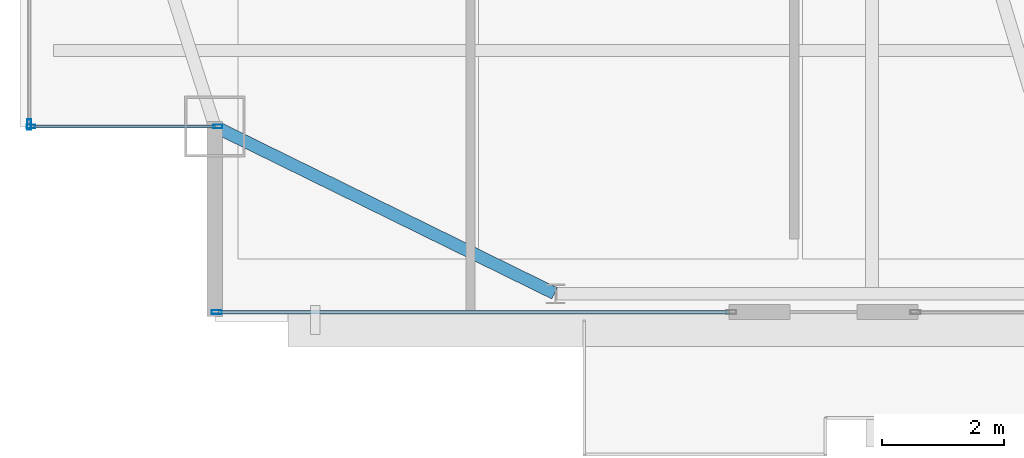
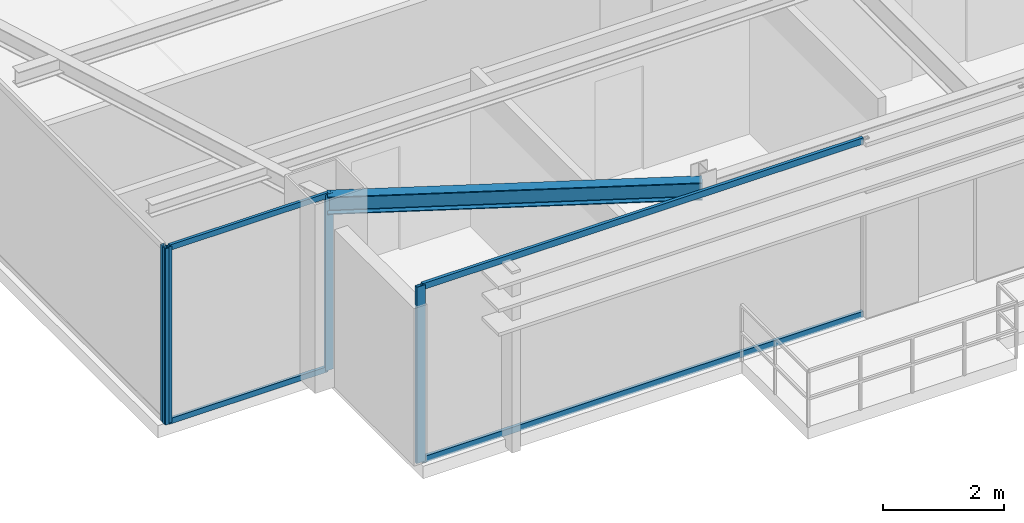
# One storey, part 3 of 24: 8 members, 1 beam, 3 elements without a shape of their own.
"""IFC4 building model written with IfcOpenShell, lengths in metres."""

from ifc_helpers import new_model, si_unit, direction, frame, origin, origin_2d, place, context, subcontext, project, spatial, hollow_rectangle, i_section, extrude, source, transform, mapped, material, layer, layer_set, material_profile, profile_set, type_object, type_shapes, element, aggregate, save


model = new_model("IFC4")

# Units and contexts
model_context = context("Model", 3, precision=1e-05, world=origin(), true_north=direction((0.0, 1.0)))
body_context = subcontext(model_context, "Body", "Model", "MODEL_VIEW")
ifc_project = project(units=[si_unit("LENGTHUNIT", "METRE"), si_unit("AREAUNIT", "SQUARE_METRE"), si_unit("VOLUMEUNIT", "CUBIC_METRE"), si_unit("PLANEANGLEUNIT", "RADIAN"), si_unit("MASSUNIT", "GRAM", prefix="KILO")], contexts=[model_context])

# Site, building, storey
site_placement = place(None, origin())
site = spatial("IfcSite", under=ifc_project, at=site_placement, CompositionType="ELEMENT")
building_placement = place(site_placement, origin())
building = spatial("IfcBuilding", under=site, at=building_placement, Name="Varnel Quay Broadcast Tower", CompositionType="ELEMENT")
storey_placement = place(building_placement, frame((0.0, 0.0, 281.199951171875)))
storey = spatial("IfcBuildingStorey", under=building, at=storey_placement, Name="L70", CompositionType="ELEMENT", Elevation=281.199951171875)

# Beam
ifc_material_1 = material(Name="Structural Steel CSA G40.21 350W", Category="steel")
ifc_material_profile_1 = material_profile(ifc_material_1, i_section(OverallWidth=0.205078125, OverallDepth=0.35400390625, WebThickness=0.009521484375, FlangeThickness=0.016845703125, FilletRadius=0.012939453125, at=origin_2d()), Name="W360X79")
ifc_profile_set_1 = profile_set([ifc_material_profile_1], Name="Structural Steel CSA G40.21 350W")
beam_type = type_object("IfcBeamType", Name="Beam_W360X79", PredefinedType="SPANDREL", material=ifc_profile_set_1)
shared_shape_1 = source(origin(), body_context, "Body", "SweptSolid", [
    extrude(i_section(OverallWidth=0.205078125, OverallDepth=0.35400390625, WebThickness=0.009521484375, FlangeThickness=0.016845703125, FilletRadius=0.012939453125, at=origin_2d()), origin(), (0.0, 0.0, 1.0), 6.19873046875),
])
type_shapes(beam_type, [shared_shape_1])
beam_placement = place(storey_placement, frame((15.218017578125, 16.39111328125, 3.373046875), z_axis=(0.897602447358, -0.440805905697, 0.0), x_axis=(0.440805905697, 0.897602447358, 0.0)))
element("IfcBeam", 1, at=beam_placement, inside=storey, type_object=beam_type, Name="L70 South Spandrel MC-SW-TC-S1", PredefinedType="SPANDREL", context=body_context, shape_type="MappedRepresentation", body=[
    mapped(shared_shape_1, transform((0.0, 0.0, 0.0), x_axis=(1.0, 0.0, 0.0), y_axis=(0.0, 1.0, 0.0), z_axis=(0.0, 0.0, 1.0), scale=1.0)),
])

# Curtain wall, members
ifc_material_2 = material(Name="Anodised Bronze Aluminium 6063-T6", Category="aluminium")
ifc_layer_1 = layer(ifc_material_2, 0.18994140625, Name="Anodised Bronze Aluminium 6063-T6")
ifc_layer_set_1 = layer_set([ifc_layer_1], Name="Anodised Bronze Aluminium 6063-T6")
curtain_wall_type_1 = type_object("IfcCurtainWallType", Name="CW_NotchCorner", PredefinedType="NOTDEFINED", material=ifc_layer_set_1)
curtain_wall_1_placement = place(storey_placement, origin())
curtain_wall_1 = element("IfcCurtainWall", 2, at=curtain_wall_1_placement, inside=storey, type_object=curtain_wall_type_1, Name="L70 SW Notch Curtain Wall", PredefinedType="NOTDEFINED")
ifc_material_profile_2 = material_profile(ifc_material_2, hollow_rectangle(XDim=0.06005859375, YDim=0.14501953125, WallThickness=0.00341796875, at=origin_2d()), Name="ALU60X145X3.5")
ifc_profile_set_2 = profile_set([ifc_material_profile_2], Name="Anodised Bronze Aluminium 6063-T6")
member_type_1 = type_object("IfcMemberType", Name="Mull_CWS-04", PredefinedType="MULLION", material=ifc_profile_set_2)
shared_shape_2 = source(origin(), body_context, "Body", "SweptSolid", [
    extrude(hollow_rectangle(XDim=0.06005859375, YDim=0.14501953125, WallThickness=0.00341796875, at=origin_2d()), origin(), (0.0, 0.0, 1.0), 3.550048828125),
])
type_shapes(member_type_1, [shared_shape_2])
member_1_placement = place(storey_placement, frame((12.179931640625, 16.39990234375, 0.0), z_axis=(0.0, 0.0, 1.0), x_axis=(0.0, 1.0, 0.0)))
member_1 = element("IfcMember", 3, at=member_1_placement, type_object=member_type_1, Name="CWS-04 mullion 1", PredefinedType="MULLION", context=body_context, shape_type="MappedRepresentation", body=[
    mapped(shared_shape_2, transform((0.0, 0.0, 0.0), x_axis=(1.0, 0.0, 0.0), y_axis=(0.0, 1.0, 0.0), z_axis=(0.0, 0.0, 1.0), scale=1.0)),
])
member_2_placement = place(storey_placement, frame((15.25, 16.39990234375, 0.0), z_axis=(0.0, 0.0, 1.0), x_axis=(0.0, 1.0, 0.0)))
member_2 = element("IfcMember", 4, at=member_2_placement, type_object=member_type_1, Name="CWS-04 mullion 2", PredefinedType="MULLION", context=body_context, shape_type="MappedRepresentation", body=[
    mapped(shared_shape_2, transform((0.0, 0.0, 0.0), x_axis=(1.0, 0.0, 0.0), y_axis=(0.0, 1.0, 0.0), z_axis=(0.0, 0.0, 1.0), scale=1.0)),
])

# Curtain wall, member
ifc_layer_2 = layer(ifc_material_2, 0.18994140625, Name="Anodised Bronze Aluminium 6063-T6")
ifc_layer_set_2 = layer_set([ifc_layer_2], Name="Anodised Bronze Aluminium 6063-T6")
curtain_wall_type_2 = type_object("IfcCurtainWallType", Name="CW_UpperTower", PredefinedType="NOTDEFINED", material=ifc_layer_set_2)
curtain_wall_2_placement = place(storey_placement, origin())
curtain_wall_2 = element("IfcCurtainWall", 5, at=curtain_wall_2_placement, inside=storey, type_object=curtain_wall_type_2, Name="L70 South Unitised Curtain Wall 1", PredefinedType="NOTDEFINED")
ifc_material_profile_3 = material_profile(ifc_material_2, hollow_rectangle(XDim=0.06494140625, YDim=0.1650390625, WallThickness=0.00341796875, at=origin_2d()), Name="ALU65X165X3.5")
ifc_profile_set_3 = profile_set([ifc_material_profile_3], Name="Anodised Bronze Aluminium 6063-T6")
member_type_2 = type_object("IfcMemberType", Name="Mull_CWS-03", PredefinedType="MULLION", material=ifc_profile_set_3)
shared_shape_3 = source(origin(), body_context, "Body", "SweptSolid", [
    extrude(hollow_rectangle(XDim=0.06494140625, YDim=0.1650390625, WallThickness=0.00341796875, at=origin_2d()), origin(), (0.0, 0.0, 1.0), 3.550048828125),
])
type_shapes(member_type_2, [shared_shape_3])
member_3_placement = place(storey_placement, frame((15.232421875, 13.35009765625, 0.0), z_axis=(0.0, 0.0, 1.0), x_axis=(0.0, 1.0, 0.0)))
member_3 = element("IfcMember", 6, at=member_3_placement, type_object=member_type_2, Name="CWS-03 mullion 1", PredefinedType="MULLION", context=body_context, shape_type="MappedRepresentation", body=[
    mapped(shared_shape_3, transform((0.0, 0.0, 0.0), x_axis=(1.0, 0.0, 0.0), y_axis=(0.0, 1.0, 0.0), z_axis=(0.0, 0.0, 1.0), scale=1.0)),
])

curtain_wall_3_placement = place(storey_placement, origin())
curtain_wall_3 = element("IfcCurtainWall", 7, at=curtain_wall_3_placement, inside=storey, type_object=curtain_wall_type_2, Name="L70 West Unitised Curtain Wall", PredefinedType="NOTDEFINED")
member_4_placement = place(storey_placement, frame((12.14990234375, 16.4326171875, 0.0), z_axis=(0.0, 0.0, 1.0), x_axis=(-1.0, 0.0, 0.0)))
member_4 = element("IfcMember", 8, at=member_4_placement, type_object=member_type_2, Name="CWS-03 mullion 1", PredefinedType="MULLION", context=body_context, shape_type="MappedRepresentation", body=[
    mapped(shared_shape_3, transform((0.0, 0.0, 0.0), x_axis=(1.0, 0.0, 0.0), y_axis=(0.0, 1.0, 0.0), z_axis=(0.0, 0.0, 1.0), scale=1.0)),
])
aggregate(curtain_wall_3, [member_4])

# Member
ifc_material_profile_4 = material_profile(ifc_material_2, hollow_rectangle(XDim=0.06005859375, YDim=0.125, WallThickness=0.0029296875, at=origin_2d()), Name="ALU60X125X3")
ifc_profile_set_4 = profile_set([ifc_material_profile_4], Name="Anodised Bronze Aluminium 6063-T6")
member_type_3 = type_object("IfcMemberType", Name="Tran_CWS-03", PredefinedType="USERDEFINED", material=ifc_profile_set_4)
shared_shape_4 = source(origin(), body_context, "Body", "SweptSolid", [
    extrude(hollow_rectangle(XDim=0.06005859375, YDim=0.125, WallThickness=0.0029296875, at=origin_2d()), origin(), (0.0, 0.0, 1.0), 8.39013671875),
])
type_shapes(member_type_3, [shared_shape_4])
member_5_placement = place(storey_placement, frame((15.264892578125, 13.35009765625, 0.030029296875), z_axis=(1.0, 0.0, 0.0), x_axis=(0.0, 1.0, 0.0)))
member_5 = element("IfcMember", 9, at=member_5_placement, type_object=member_type_3, Name="CWS-03 transom 1.1", ObjectType="TRANSOM", PredefinedType="USERDEFINED", context=body_context, shape_type="MappedRepresentation", body=[
    mapped(shared_shape_4, transform((0.0, 0.0, 0.0), x_axis=(1.0, 0.0, 0.0), y_axis=(0.0, 1.0, 0.0), z_axis=(0.0, 0.0, 1.0), scale=1.0)),
])

member_6_placement = place(storey_placement, frame((15.264892578125, 13.35009765625, 3.52001953125), z_axis=(1.0, 0.0, 0.0), x_axis=(0.0, 1.0, 0.0)))
member_6 = element("IfcMember", 10, at=member_6_placement, type_object=member_type_3, Name="CWS-03 transom 1.2", ObjectType="TRANSOM", PredefinedType="USERDEFINED", context=body_context, shape_type="MappedRepresentation", body=[
    mapped(shared_shape_4, transform((0.0, 0.0, 0.0), x_axis=(1.0, 0.0, 0.0), y_axis=(0.0, 1.0, 0.0), z_axis=(0.0, 0.0, 1.0), scale=1.0)),
])

aggregate(curtain_wall_2, [member_3, member_5, member_6])

ifc_material_profile_5 = material_profile(ifc_material_2, hollow_rectangle(XDim=0.054931640625, YDim=0.110107421875, WallThickness=0.0029296875, at=origin_2d()), Name="ALU55X110X3")
ifc_profile_set_5 = profile_set([ifc_material_profile_5], Name="Anodised Bronze Aluminium 6063-T6")
member_type_4 = type_object("IfcMemberType", Name="Tran_CWS-04", PredefinedType="USERDEFINED", material=ifc_profile_set_5)
shared_shape_5 = source(origin(), body_context, "Body", "SweptSolid", [
    extrude(hollow_rectangle(XDim=0.054931640625, YDim=0.110107421875, WallThickness=0.0029296875, at=origin_2d()), origin(), (0.0, 0.0, 1.0), 3.010009765625),
])
type_shapes(member_type_4, [shared_shape_5])
member_7_placement = place(storey_placement, frame((12.2099609375, 16.39990234375, 0.027587890625), z_axis=(1.0, 0.0, 0.0), x_axis=(0.0, 1.0, 0.0)))
member_7 = element("IfcMember", 11, at=member_7_placement, type_object=member_type_4, Name="CWS-04 transom 1.1", ObjectType="TRANSOM", PredefinedType="USERDEFINED", context=body_context, shape_type="MappedRepresentation", body=[
    mapped(shared_shape_5, transform((0.0, 0.0, 0.0), x_axis=(1.0, 0.0, 0.0), y_axis=(0.0, 1.0, 0.0), z_axis=(0.0, 0.0, 1.0), scale=1.0)),
])

member_8_placement = place(storey_placement, frame((12.2099609375, 16.39990234375, 3.5224609375), z_axis=(1.0, 0.0, 0.0), x_axis=(0.0, 1.0, 0.0)))
member_8 = element("IfcMember", 12, at=member_8_placement, type_object=member_type_4, Name="CWS-04 transom 1.2", ObjectType="TRANSOM", PredefinedType="USERDEFINED", context=body_context, shape_type="MappedRepresentation", body=[
    mapped(shared_shape_5, transform((0.0, 0.0, 0.0), x_axis=(1.0, 0.0, 0.0), y_axis=(0.0, 1.0, 0.0), z_axis=(0.0, 0.0, 1.0), scale=1.0)),
])

aggregate(curtain_wall_1, [member_1, member_2, member_7, member_8])

save(model, "model.ifc")
